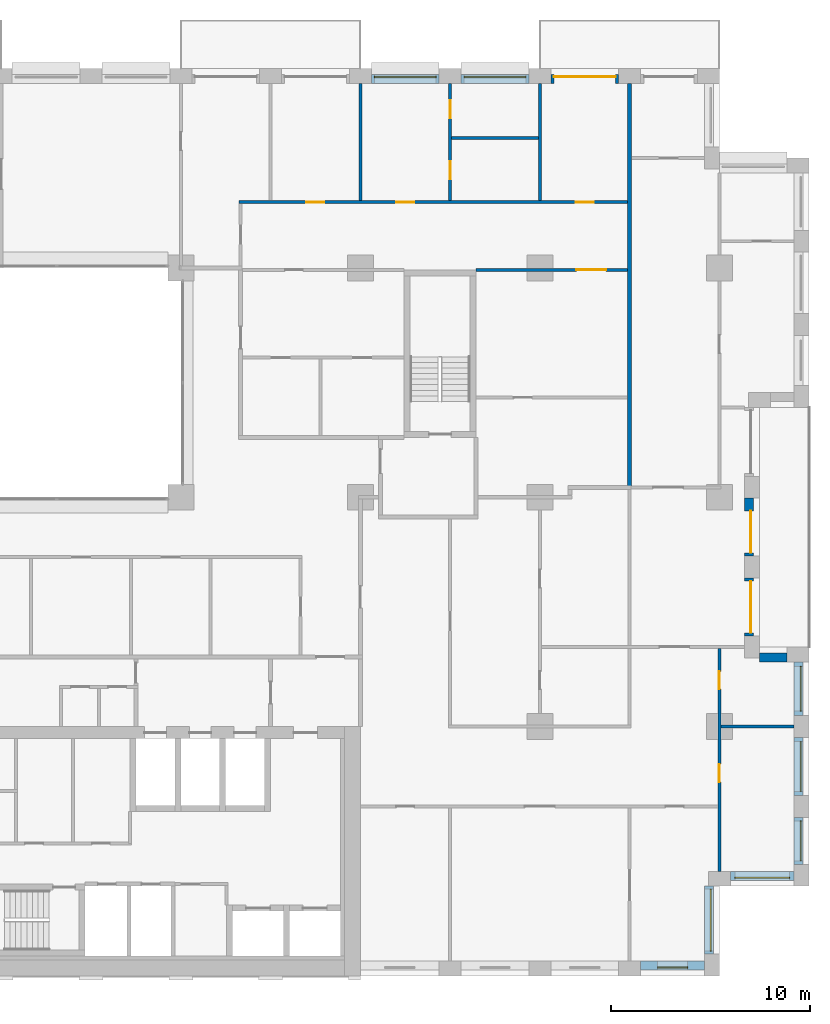
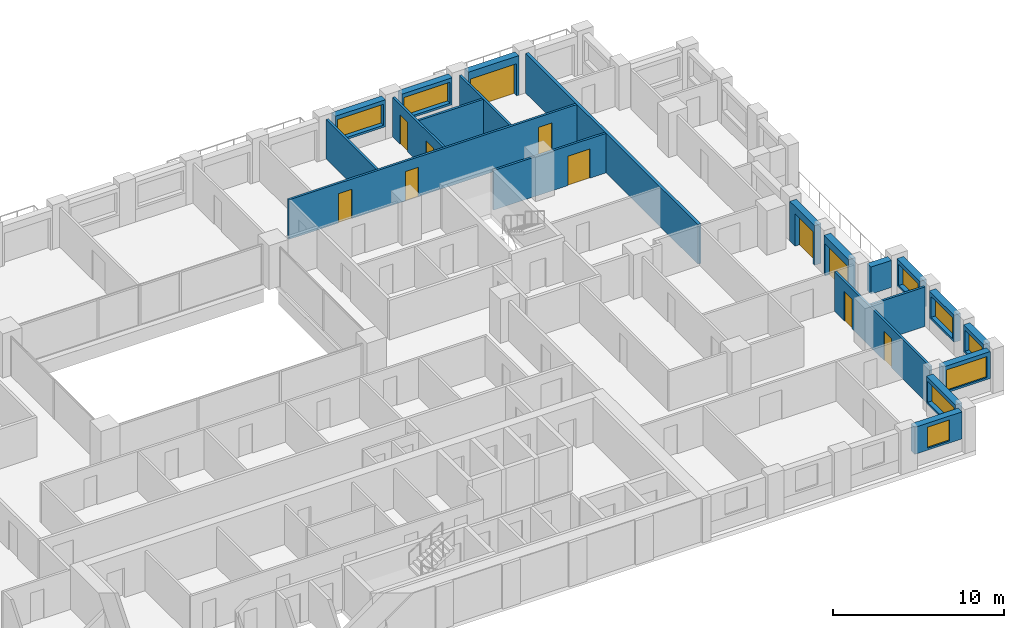
# One storey, part 14 of 16: 21 walls, 11 doors, 8 windows, 19 openings.
"""IFC4 building model written with IfcOpenShell, lengths in metres."""

from ifc_helpers import new_model, si_unit, direction, frame, frame_2d, origin, place, context, subcontext, project, spatial, rectangle, extrude, material, layer, layer_set, type_object, element, fill, save


model = new_model("IFC4")

# Units and contexts
model_context = context("Model", 3, precision=1e-05, world=origin(), true_north=direction((0.0, 1.0)))
body_context = subcontext(model_context, "Body", "Model", "MODEL_VIEW")
ifc_project = project(units=[si_unit("LENGTHUNIT", "METRE"), si_unit("AREAUNIT", "SQUARE_METRE"), si_unit("VOLUMEUNIT", "CUBIC_METRE"), si_unit("PLANEANGLEUNIT", "RADIAN"), si_unit("MASSUNIT", "GRAM", prefix="KILO")], contexts=[model_context])

# Site, building, storey
site_placement = place(None, origin())
site = spatial("IfcSite", under=ifc_project, at=site_placement, CompositionType="ELEMENT")
building_placement = place(site_placement, origin())
building = spatial("IfcBuilding", under=site, at=building_placement, Name="Brigalow Station Residences", CompositionType="ELEMENT")
storey_placement = place(building_placement, frame((0.0, 0.0, 89.85009765625)))
storey = spatial("IfcBuildingStorey", under=building, at=storey_placement, Name="L25", CompositionType="ELEMENT", Elevation=89.85009765625)

# Wall, opening, window
ifc_material_1 = material(Name="Clay brick masonry", Category="masonry")
ifc_layer_1 = layer(ifc_material_1, 0.449951171875)
ifc_layer_set_1 = layer_set([ifc_layer_1], Name="BRICK INFILL WALL 450")
wall_type_1 = type_object("IfcWallType", Name="BRICK INFILL WALL 450", PredefinedType="SOLIDWALL", material=ifc_layer_set_1)
wall_1_placement = place(storey_placement, frame((68.050048828125, 0.52490234375, 0.89990234375), z_axis=(0.0, 0.0, 1.0), x_axis=(1.0, 0.0, 0.0)))
wall_1 = element("IfcWall", 1, at=wall_1_placement, inside=storey, type_object=wall_type_1, Name="L25/ewall/W-L25-7", PredefinedType="SOLIDWALL", context=body_context, shape_type="SweptSolid", body=[
    extrude(rectangle(XDim=3.199951171875, YDim=0.449951171875, at=frame_2d((1.60009765625, 0.0))), origin(), (0.0, 0.0, 1.0), 1.929931640625),
])
opening_1_placement = place(wall_1_placement, frame((0.85009765625, 0.0, 0.14990234375)))
opening_1 = element("IfcOpeningElement", 2, at=opening_1_placement, cuts=wall_1, Name="Opening WT-1", PredefinedType="OPENING", context=body_context, shape_type="SweptSolid", body=[
    extrude(rectangle(XDim=1.5, YDim=1.5, at=frame_2d((0.75, 0.75))), frame((0.0, 0.23486328125, 0.0), z_axis=(0.0, -1.0, 0.0), x_axis=(1.0, 0.0, 0.0)), (0.0, 0.0, 1.0), 0.469970703125),
])
ifc_material_2 = material(Name="Anodised aluminium frame with double glazing", Category="aluminium")
window_type_1 = type_object("IfcWindowType", Name="WINDOW 1500x1500", PartitioningType="SINGLE_PANEL", PredefinedType="WINDOW", material=ifc_material_2)
window_1_placement = place(opening_1_placement, origin())
window_1 = element("IfcWindow", 3, at=window_1_placement, inside=storey, type_object=window_type_1, Name="L25/window/W-L25-7", OverallHeight=1.5, OverallWidth=1.5, PartitioningType="SINGLE_PANEL", PredefinedType="WINDOW", context=body_context, shape_type="SweptSolid", body=[
    extrude(rectangle(XDim=1.5, YDim=1.5, at=frame_2d((0.75, 0.75))), frame((0.0, -0.06494140625, 0.0), z_axis=(0.0, -1.0, 0.0), x_axis=(1.0, 0.0, 0.0)), (0.0, 0.0, 1.0), 0.06005859375),
])
fill(opening_1, window_1)

wall_2_placement = place(storey_placement, frame((71.47509765625, 1.10009765625, 0.89990234375), z_axis=(0.0, 0.0, 1.0), x_axis=(0.0, 1.0, 0.0)))
wall_2 = element("IfcWall", 4, at=wall_2_placement, inside=storey, type_object=wall_type_1, Name="L25/ewall/W-L25-8", PredefinedType="SOLIDWALL", context=body_context, shape_type="SweptSolid", body=[
    extrude(rectangle(XDim=3.39990234375, YDim=0.449951171875, at=frame_2d((1.699951171875, 0.0))), origin(), (0.0, 0.0, 1.0), 1.929931640625),
])
opening_2_placement = place(wall_2_placement, frame((0.14990234375, 0.0, 0.14990234375)))
opening_2 = element("IfcOpeningElement", 5, at=opening_2_placement, cuts=wall_2, Name="Opening WT-8", PredefinedType="OPENING", context=body_context, shape_type="SweptSolid", body=[
    extrude(rectangle(XDim=3.10009765625, YDim=1.5, at=frame_2d((1.550048828125, 0.75))), frame((0.0, 0.23486328125, 0.0), z_axis=(0.0, -1.0, 0.0), x_axis=(1.0, 0.0, 0.0)), (0.0, 0.0, 1.0), 0.469970703125),
])
ifc_material_3 = material(Name="Anodised aluminium frame with double glazing", Category="aluminium")
window_type_2 = type_object("IfcWindowType", Name="WINDOW 3100x1500", PartitioningType="SINGLE_PANEL", PredefinedType="WINDOW", material=ifc_material_3)
window_2_placement = place(opening_2_placement, origin())
window_2 = element("IfcWindow", 6, at=window_2_placement, inside=storey, type_object=window_type_2, Name="L25/window/W-L25-8", OverallHeight=1.5, OverallWidth=3.10009765625, PartitioningType="SINGLE_PANEL", PredefinedType="WINDOW", context=body_context, shape_type="SweptSolid", body=[
    extrude(rectangle(XDim=3.10009765625, YDim=1.5, at=frame_2d((1.550048828125, 0.75))), frame((0.0, -0.06494140625, 0.0), z_axis=(0.0, -1.0, 0.0), x_axis=(1.0, 0.0, 0.0)), (0.0, 0.0, 1.0), 0.06005859375),
])
fill(opening_2, window_2)

wall_3_placement = place(storey_placement, frame((72.550048828125, 5.02490234375, 0.89990234375), z_axis=(0.0, 0.0, 1.0), x_axis=(1.0, 0.0, 0.0)))
wall_3 = element("IfcWall", 7, at=wall_3_placement, inside=storey, type_object=wall_type_1, Name="L25/ewall/W-L25-9", PredefinedType="SOLIDWALL", context=body_context, shape_type="SweptSolid", body=[
    extrude(rectangle(XDim=3.199951171875, YDim=0.449951171875, at=frame_2d((1.60009765625, 0.0))), origin(), (0.0, 0.0, 1.0), 1.929931640625),
])
opening_3_placement = place(wall_3_placement, frame((0.22509765625, 0.0, 0.14990234375)))
opening_3 = element("IfcOpeningElement", 8, at=opening_3_placement, cuts=wall_3, Name="Opening WT-3", PredefinedType="OPENING", context=body_context, shape_type="SweptSolid", body=[
    extrude(rectangle(XDim=2.75, YDim=1.5, at=frame_2d((1.375, 0.75))), frame((0.0, 0.23486328125, 0.0), z_axis=(0.0, -1.0, 0.0), x_axis=(1.0, 0.0, 0.0)), (0.0, 0.0, 1.0), 0.469970703125),
])
ifc_material_4 = material(Name="Anodised aluminium frame with double glazing", Category="aluminium")
window_type_3 = type_object("IfcWindowType", Name="WINDOW 2750x1500", PartitioningType="SINGLE_PANEL", PredefinedType="WINDOW", material=ifc_material_4)
window_3_placement = place(opening_3_placement, origin())
window_3 = element("IfcWindow", 9, at=window_3_placement, inside=storey, type_object=window_type_3, Name="L25/window/W-L25-9", OverallHeight=1.5, OverallWidth=2.75, PartitioningType="SINGLE_PANEL", PredefinedType="WINDOW", context=body_context, shape_type="SweptSolid", body=[
    extrude(rectangle(XDim=2.75, YDim=1.5, at=frame_2d((1.375, 0.75))), frame((0.0, -0.06494140625, 0.0), z_axis=(0.0, -1.0, 0.0), x_axis=(1.0, 0.0, 0.0)), (0.0, 0.0, 1.0), 0.06005859375),
])
fill(opening_3, window_3)

wall_4_placement = place(storey_placement, frame((75.97509765625, 5.60009765625, 0.89990234375), z_axis=(0.0, 0.0, 1.0), x_axis=(0.0, 1.0, 0.0)))
wall_4 = element("IfcWall", 10, at=wall_4_placement, inside=storey, type_object=wall_type_1, Name="L25/ewall/W-L25-10", PredefinedType="SOLIDWALL", context=body_context, shape_type="SweptSolid", body=[
    extrude(rectangle(XDim=2.349853515625, YDim=0.449951171875, at=frame_2d((1.1748046875, 0.0))), origin(), (0.0, 0.0, 1.0), 1.929931640625),
])
opening_4_placement = place(wall_4_placement, frame((0.175048828125, 0.0, 0.14990234375)))
opening_4 = element("IfcOpeningElement", 11, at=opening_4_placement, cuts=wall_4, Name="Opening WT-7", PredefinedType="OPENING", context=body_context, shape_type="SweptSolid", body=[
    extrude(rectangle(XDim=2.0, YDim=1.5, at=frame_2d((1.0, 0.75))), frame((0.0, 0.23486328125, 0.0), z_axis=(0.0, -1.0, 0.0), x_axis=(1.0, 0.0, 0.0)), (0.0, 0.0, 1.0), 0.469970703125),
])
ifc_material_5 = material(Name="Anodised aluminium frame with double glazing", Category="aluminium")
window_type_4 = type_object("IfcWindowType", Name="WINDOW 2000x1500", PartitioningType="SINGLE_PANEL", PredefinedType="WINDOW", material=ifc_material_5)
window_4_placement = place(opening_4_placement, origin())
window_4 = element("IfcWindow", 12, at=window_4_placement, inside=storey, type_object=window_type_4, Name="L25/window/W-L25-10", OverallHeight=1.5, OverallWidth=2.0, PartitioningType="SINGLE_PANEL", PredefinedType="WINDOW", context=body_context, shape_type="SweptSolid", body=[
    extrude(rectangle(XDim=2.0, YDim=1.5, at=frame_2d((1.0, 0.75))), frame((0.0, -0.06494140625, 0.0), z_axis=(0.0, -1.0, 0.0), x_axis=(1.0, 0.0, 0.0)), (0.0, 0.0, 1.0), 0.06005859375),
])
fill(opening_4, window_4)

wall_5_placement = place(storey_placement, frame((75.97509765625, 9.050048828125, 0.89990234375), z_axis=(0.0, 0.0, 1.0), x_axis=(0.0, 1.0, 0.0)))
wall_5 = element("IfcWall", 13, at=wall_5_placement, inside=storey, type_object=wall_type_1, Name="L25/ewall/W-L25-11", PredefinedType="SOLIDWALL", context=body_context, shape_type="SweptSolid", body=[
    extrude(rectangle(XDim=2.89990234375, YDim=0.449951171875, at=frame_2d((1.449951171875, 0.0))), origin(), (0.0, 0.0, 1.0), 1.929931640625),
])
opening_5_placement = place(wall_5_placement, frame((0.199951171875, 0.0, 0.14990234375)))
opening_5 = element("IfcOpeningElement", 14, at=opening_5_placement, cuts=wall_5, Name="Opening WT-5", PredefinedType="OPENING", context=body_context, shape_type="SweptSolid", body=[
    extrude(rectangle(XDim=2.5, YDim=1.5, at=frame_2d((1.25, 0.75))), frame((0.0, 0.23486328125, 0.0), z_axis=(0.0, -1.0, 0.0), x_axis=(1.0, 0.0, 0.0)), (0.0, 0.0, 1.0), 0.469970703125),
])
ifc_material_6 = material(Name="Anodised aluminium frame with double glazing", Category="aluminium")
window_type_5 = type_object("IfcWindowType", Name="WINDOW 2500x1500", PartitioningType="SINGLE_PANEL", PredefinedType="WINDOW", material=ifc_material_6)
window_5_placement = place(opening_5_placement, origin())
window_5 = element("IfcWindow", 15, at=window_5_placement, inside=storey, type_object=window_type_5, Name="L25/window/W-L25-11", OverallHeight=1.5, OverallWidth=2.5, PartitioningType="SINGLE_PANEL", PredefinedType="WINDOW", context=body_context, shape_type="SweptSolid", body=[
    extrude(rectangle(XDim=2.5, YDim=1.5, at=frame_2d((1.25, 0.75))), frame((0.0, -0.06494140625, 0.0), z_axis=(0.0, -1.0, 0.0), x_axis=(1.0, 0.0, 0.0)), (0.0, 0.0, 1.0), 0.06005859375),
])
fill(opening_5, window_5)

wall_6_placement = place(storey_placement, frame((75.97509765625, 13.050048828125, 0.89990234375), z_axis=(0.0, 0.0, 1.0), x_axis=(0.0, 1.0, 0.0)))
wall_6 = element("IfcWall", 16, at=wall_6_placement, inside=storey, type_object=wall_type_1, Name="L25/ewall/W-L25-12", PredefinedType="SOLIDWALL", context=body_context, shape_type="SweptSolid", body=[
    extrude(rectangle(XDim=2.699951171875, YDim=0.449951171875, at=frame_2d((1.35009765625, 0.0))), origin(), (0.0, 0.0, 1.0), 1.929931640625),
])
opening_6_placement = place(wall_6_placement, frame((0.22509765625, 0.0, 0.14990234375)))
opening_6 = element("IfcOpeningElement", 17, at=opening_6_placement, cuts=wall_6, Name="Opening WT-6", PredefinedType="OPENING", context=body_context, shape_type="SweptSolid", body=[
    extrude(rectangle(XDim=2.25, YDim=1.5, at=frame_2d((1.125, 0.75))), frame((0.0, 0.23486328125, 0.0), z_axis=(0.0, -1.0, 0.0), x_axis=(1.0, 0.0, 0.0)), (0.0, 0.0, 1.0), 0.469970703125),
])
ifc_material_7 = material(Name="Anodised aluminium frame with double glazing", Category="aluminium")
window_type_6 = type_object("IfcWindowType", Name="WINDOW 2250x1500", PartitioningType="SINGLE_PANEL", PredefinedType="WINDOW", material=ifc_material_7)
window_6_placement = place(opening_6_placement, origin())
window_6 = element("IfcWindow", 18, at=window_6_placement, inside=storey, type_object=window_type_6, Name="L25/window/W-L25-12", OverallHeight=1.5, OverallWidth=2.25, PartitioningType="SINGLE_PANEL", PredefinedType="WINDOW", context=body_context, shape_type="SweptSolid", body=[
    extrude(rectangle(XDim=2.25, YDim=1.5, at=frame_2d((1.125, 0.75))), frame((0.0, -0.06494140625, 0.0), z_axis=(0.0, -1.0, 0.0), x_axis=(1.0, 0.0, 0.0)), (0.0, 0.0, 1.0), 0.06005859375),
])
fill(opening_6, window_6)

# Wall
wall_7_placement = place(storey_placement, frame((75.39990234375, 15.97509765625, 0.89990234375), z_axis=(0.0, 0.0, 1.0), x_axis=(-1.0, 0.0, 0.0)))
element("IfcWall", 19, at=wall_7_placement, inside=storey, type_object=wall_type_1, Name="L25/ewall/W-L25-13", PredefinedType="SOLIDWALL", context=body_context, shape_type="SweptSolid", body=[
    extrude(rectangle(XDim=1.39990234375, YDim=0.449951171875, at=frame_2d((0.699951171875, 0.0))), origin(), (0.0, 0.0, 1.0), 1.929931640625),
])

# Wall, opening, door
wall_8_placement = place(storey_placement, frame((73.47509765625, 17.050048828125, 0.0), z_axis=(0.0, 0.0, 1.0), x_axis=(0.0, 1.0, 0.0)))
wall_8 = element("IfcWall", 20, at=wall_8_placement, inside=storey, type_object=wall_type_1, Name="L25/ewall/W-L25-14", PredefinedType="SOLIDWALL", context=body_context, shape_type="SweptSolid", body=[
    extrude(rectangle(XDim=2.89990234375, YDim=0.449951171875, at=frame_2d((1.449951171875, 0.0))), origin(), (0.0, 0.0, 1.0), 2.829833984375),
])
opening_7_placement = place(wall_8_placement, frame((0.14990234375, 0.0, 0.0)))
opening_7 = element("IfcOpeningElement", 21, at=opening_7_placement, cuts=wall_8, Name="Opening D-B2600", PredefinedType="OPENING", context=body_context, shape_type="SweptSolid", body=[
    extrude(rectangle(XDim=2.60009765625, YDim=2.300048828125, at=frame_2d((1.300048828125, 1.14990234375))), frame((0.0, 0.23486328125, 0.0), z_axis=(0.0, -1.0, 0.0), x_axis=(1.0, 0.0, 0.0)), (0.0, 0.0, 1.0), 0.469970703125),
])
ifc_material_8 = material(Name="Anodised aluminium frame with double glazing", Category="aluminium")
door_type_1 = type_object("IfcDoorType", Name="BALCONY SLIDING DOOR 2600x2300", OperationType="SLIDING_TO_LEFT", PredefinedType="DOOR", material=ifc_material_8)
door_1_placement = place(opening_7_placement, origin())
door_1 = element("IfcDoor", 22, at=door_1_placement, inside=storey, type_object=door_type_1, Name="L25/balcony-door/W-L25-14", OperationType="SLIDING_TO_LEFT", OverallHeight=2.300048828125, OverallWidth=2.60009765625, PredefinedType="DOOR", context=body_context, shape_type="SweptSolid", body=[
    extrude(rectangle(XDim=2.60009765625, YDim=2.300048828125, at=frame_2d((1.300048828125, 1.14990234375))), frame((0.0, -0.06982421875, 0.0), z_axis=(0.0, -1.0, 0.0), x_axis=(1.0, 0.0, 0.0)), (0.0, 0.0, 1.0), 0.050048828125),
])
fill(opening_7, door_1)

wall_9_placement = place(storey_placement, frame((73.47509765625, 21.050048828125, 0.0), z_axis=(0.0, 0.0, 1.0), x_axis=(0.0, 1.0, 0.0)))
wall_9 = element("IfcWall", 23, at=wall_9_placement, inside=storey, type_object=wall_type_1, Name="L25/ewall/W-L25-15", PredefinedType="SOLIDWALL", context=body_context, shape_type="SweptSolid", body=[
    extrude(rectangle(XDim=2.89990234375, YDim=0.449951171875, at=frame_2d((1.449951171875, 0.0))), origin(), (0.0, 0.0, 1.0), 2.829833984375),
])
opening_8_placement = place(wall_9_placement, frame((0.1650390625, 0.0, 0.0)))
opening_8 = element("IfcOpeningElement", 24, at=opening_8_placement, cuts=wall_9, Name="Opening D-B2100", PredefinedType="OPENING", context=body_context, shape_type="SweptSolid", body=[
    extrude(rectangle(XDim=2.10009765625, YDim=2.300048828125, at=frame_2d((1.050048828125, 1.14990234375))), frame((0.0, 0.23486328125, 0.0), z_axis=(0.0, -1.0, 0.0), x_axis=(1.0, 0.0, 0.0)), (0.0, 0.0, 1.0), 0.469970703125),
])
ifc_material_9 = material(Name="Anodised aluminium frame with double glazing", Category="aluminium")
door_type_2 = type_object("IfcDoorType", Name="BALCONY SLIDING DOOR 2100x2300", OperationType="SLIDING_TO_LEFT", PredefinedType="DOOR", material=ifc_material_9)
door_2_placement = place(opening_8_placement, origin())
door_2 = element("IfcDoor", 25, at=door_2_placement, inside=storey, type_object=door_type_2, Name="L25/balcony-door/W-L25-15", OperationType="SLIDING_TO_LEFT", OverallHeight=2.300048828125, OverallWidth=2.10009765625, PredefinedType="DOOR", context=body_context, shape_type="SweptSolid", body=[
    extrude(rectangle(XDim=2.10009765625, YDim=2.300048828125, at=frame_2d((1.050048828125, 1.14990234375))), frame((0.0, -0.06982421875, 0.0), z_axis=(0.0, -1.0, 0.0), x_axis=(1.0, 0.0, 0.0)), (0.0, 0.0, 1.0), 0.050048828125),
])
fill(opening_8, door_2)

wall_10_placement = place(storey_placement, frame((66.949951171875, 44.97509765625, 0.0), z_axis=(0.0, 0.0, 1.0), x_axis=(-1.0, 0.0, 0.0)))
wall_10 = element("IfcWall", 26, at=wall_10_placement, inside=storey, type_object=wall_type_1, Name="L25/ewall/W-L25-24", PredefinedType="SOLIDWALL", context=body_context, shape_type="SweptSolid", body=[
    extrude(rectangle(XDim=3.39990234375, YDim=0.449951171875, at=frame_2d((1.699951171875, 0.0))), origin(), (0.0, 0.0, 1.0), 2.829833984375),
])
opening_9_placement = place(wall_10_placement, frame((0.14990234375, 0.0, 0.0)))
opening_9 = element("IfcOpeningElement", 27, at=opening_9_placement, cuts=wall_10, Name="Opening D-B3100", PredefinedType="OPENING", context=body_context, shape_type="SweptSolid", body=[
    extrude(rectangle(XDim=3.10009765625, YDim=2.300048828125, at=frame_2d((1.550048828125, 1.14990234375))), frame((0.0, 0.23486328125, 0.0), z_axis=(0.0, -1.0, 0.0), x_axis=(1.0, 0.0, 0.0)), (0.0, 0.0, 1.0), 0.469970703125),
])
ifc_material_10 = material(Name="Anodised aluminium frame with double glazing", Category="aluminium")
door_type_3 = type_object("IfcDoorType", Name="BALCONY SLIDING DOOR 3100x2300", OperationType="SLIDING_TO_LEFT", PredefinedType="DOOR", material=ifc_material_10)
door_3_placement = place(opening_9_placement, origin())
door_3 = element("IfcDoor", 28, at=door_3_placement, inside=storey, type_object=door_type_3, Name="L25/balcony-door/W-L25-24", OperationType="SLIDING_TO_LEFT", OverallHeight=2.300048828125, OverallWidth=3.10009765625, PredefinedType="DOOR", context=body_context, shape_type="SweptSolid", body=[
    extrude(rectangle(XDim=3.10009765625, YDim=2.300048828125, at=frame_2d((1.550048828125, 1.14990234375))), frame((0.0, -0.06982421875, 0.0), z_axis=(0.0, -1.0, 0.0), x_axis=(1.0, 0.0, 0.0)), (0.0, 0.0, 1.0), 0.050048828125),
])
fill(opening_9, door_3)

# Wall, opening, window
wall_11_placement = place(storey_placement, frame((62.449951171875, 44.97509765625, 0.89990234375), z_axis=(0.0, 0.0, 1.0), x_axis=(-1.0, 0.0, 0.0)))
wall_11 = element("IfcWall", 29, at=wall_11_placement, inside=storey, type_object=wall_type_1, Name="L25/ewall/W-L25-25", PredefinedType="SOLIDWALL", context=body_context, shape_type="SweptSolid", body=[
    extrude(rectangle(XDim=3.39990234375, YDim=0.449951171875, at=frame_2d((1.699951171875, 0.0))), origin(), (0.0, 0.0, 1.0), 1.929931640625),
])
opening_10_placement = place(wall_11_placement, frame((0.14990234375, 0.0, 0.14990234375)))
opening_10 = element("IfcOpeningElement", 30, at=opening_10_placement, cuts=wall_11, Name="Opening WT-8", PredefinedType="OPENING", context=body_context, shape_type="SweptSolid", body=[
    extrude(rectangle(XDim=3.10009765625, YDim=1.5, at=frame_2d((1.550048828125, 0.75))), frame((0.0, 0.23486328125, 0.0), z_axis=(0.0, -1.0, 0.0), x_axis=(1.0, 0.0, 0.0)), (0.0, 0.0, 1.0), 0.469970703125),
])
window_7_placement = place(opening_10_placement, origin())
window_7 = element("IfcWindow", 31, at=window_7_placement, inside=storey, type_object=window_type_2, Name="L25/window/W-L25-25", OverallHeight=1.5, OverallWidth=3.10009765625, PartitioningType="SINGLE_PANEL", PredefinedType="WINDOW", context=body_context, shape_type="SweptSolid", body=[
    extrude(rectangle(XDim=3.10009765625, YDim=1.5, at=frame_2d((1.550048828125, 0.75))), frame((0.0, -0.06494140625, 0.0), z_axis=(0.0, -1.0, 0.0), x_axis=(1.0, 0.0, 0.0)), (0.0, 0.0, 1.0), 0.06005859375),
])
fill(opening_10, window_7)

wall_12_placement = place(storey_placement, frame((57.949951171875, 44.97509765625, 0.89990234375), z_axis=(0.0, 0.0, 1.0), x_axis=(-1.0, 0.0, 0.0)))
wall_12 = element("IfcWall", 32, at=wall_12_placement, inside=storey, type_object=wall_type_1, Name="L25/ewall/W-L25-26", PredefinedType="SOLIDWALL", context=body_context, shape_type="SweptSolid", body=[
    extrude(rectangle(XDim=3.39990234375, YDim=0.449951171875, at=frame_2d((1.699951171875, 0.0))), origin(), (0.0, 0.0, 1.0), 1.929931640625),
])
opening_11_placement = place(wall_12_placement, frame((0.14990234375, 0.0, 0.14990234375)))
opening_11 = element("IfcOpeningElement", 33, at=opening_11_placement, cuts=wall_12, Name="Opening WT-8", PredefinedType="OPENING", context=body_context, shape_type="SweptSolid", body=[
    extrude(rectangle(XDim=3.10009765625, YDim=1.5, at=frame_2d((1.550048828125, 0.75))), frame((0.0, 0.23486328125, 0.0), z_axis=(0.0, -1.0, 0.0), x_axis=(1.0, 0.0, 0.0)), (0.0, 0.0, 1.0), 0.469970703125),
])
window_8_placement = place(opening_11_placement, origin())
window_8 = element("IfcWindow", 34, at=window_8_placement, inside=storey, type_object=window_type_2, Name="L25/window/W-L25-26", OverallHeight=1.5, OverallWidth=3.10009765625, PartitioningType="SINGLE_PANEL", PredefinedType="WINDOW", context=body_context, shape_type="SweptSolid", body=[
    extrude(rectangle(XDim=3.10009765625, YDim=1.5, at=frame_2d((1.550048828125, 0.75))), frame((0.0, -0.06494140625, 0.0), z_axis=(0.0, -1.0, 0.0), x_axis=(1.0, 0.0, 0.0)), (0.0, 0.0, 1.0), 0.06005859375),
])
fill(opening_11, window_8)

# Wall
ifc_material_11 = material(Name="Plasterboard on steel stud partition", Category="steel")
ifc_layer_2 = layer(ifc_material_11, 0.14990234375)
ifc_layer_set_2 = layer_set([ifc_layer_2], Name="FLAT PARTITION 150")
wall_type_2 = type_object("IfcWallType", Name="FLAT PARTITION 150", PredefinedType="PARTITIONING", material=ifc_layer_set_2)
wall_13_placement = place(storey_placement, frame((72.074951171875, 12.5, 0.0), z_axis=(0.0, 0.0, 1.0), x_axis=(1.0, 0.0, 0.0)))
element("IfcWall", 35, at=wall_13_placement, inside=storey, type_object=wall_type_2, Name="PW-2A18", PredefinedType="PARTITIONING", context=body_context, shape_type="SweptSolid", body=[
    extrude(rectangle(XDim=3.675048828125, YDim=0.14990234375, at=frame_2d((1.83740234375, 0.0))), origin(), (0.0, 0.0, 1.0), 2.829833984375),
])

# Wall, opening, door
wall_14_placement = place(storey_placement, frame((59.800048828125, 35.39990234375, 0.0), z_axis=(0.0, 0.0, 1.0), x_axis=(1.0, 0.0, 0.0)))
wall_14 = element("IfcWall", 36, at=wall_14_placement, inside=storey, type_object=wall_type_2, Name="PW-2A30", PredefinedType="PARTITIONING", context=body_context, shape_type="SweptSolid", body=[
    extrude(rectangle(XDim=7.599853515625, YDim=0.14990234375, at=frame_2d((3.7998046875, 0.0))), origin(), (0.0, 0.0, 1.0), 2.829833984375),
])
opening_12_placement = place(wall_14_placement, frame((5.02490234375, 0.0, 0.0)))
opening_12 = element("IfcOpeningElement", 37, at=opening_12_placement, cuts=wall_14, Name="Opening D-2A32", PredefinedType="OPENING", context=body_context, shape_type="SweptSolid", body=[
    extrude(rectangle(XDim=1.5, YDim=2.10009765625, at=frame_2d((0.75, 1.050048828125))), frame((0.0, 0.0849609375, 0.0), z_axis=(0.0, -1.0, 0.0), x_axis=(1.0, 0.0, 0.0)), (0.0, 0.0, 1.0), 0.169921875),
])
ifc_material_12 = material(Name="Solid-core timber door leaf", Category="wood")
door_type_4 = type_object("IfcDoorType", Name="INTERNAL DOUBLE DOOR 1500 x 2100", OperationType="DOUBLE_DOOR_SINGLE_SWING", PredefinedType="DOOR", material=ifc_material_12)
door_4_placement = place(opening_12_placement, frame((1.5, 0.0, 0.0), z_axis=(0.0, 0.0, 1.0), x_axis=(-1.0, 0.0, 0.0)))
door_4 = element("IfcDoor", 38, at=door_4_placement, inside=storey, type_object=door_type_4, Name="D-2A32", OperationType="DOUBLE_DOOR_SINGLE_SWING", OverallHeight=2.10009765625, OverallWidth=1.5, PredefinedType="DOOR", context=body_context, shape_type="SweptSolid", body=[
    extrude(rectangle(XDim=1.5, YDim=2.10009765625, at=frame_2d((0.75, 1.050048828125))), frame((0.0, 0.02490234375, 0.0), z_axis=(0.0, -1.0, 0.0), x_axis=(1.0, 0.0, 0.0)), (0.0, 0.0, 1.0), 0.050048828125),
])
fill(opening_12, door_4)

# Wall, openings, doors
wall_15_placement = place(storey_placement, frame((47.925048828125, 38.800048828125, 0.0), z_axis=(0.0, 0.0, 1.0), x_axis=(1.0, 0.0, 0.0)))
wall_15 = element("IfcWall", 39, at=wall_15_placement, inside=storey, type_object=wall_type_2, Name="PW-2A34", PredefinedType="PARTITIONING", context=body_context, shape_type="SweptSolid", body=[
    extrude(rectangle(XDim=19.474853515625, YDim=0.14990234375, at=frame_2d((9.7373046875, 0.0))), origin(), (0.0, 0.0, 1.0), 2.829833984375),
])
opening_13_placement = place(wall_15_placement, frame((3.375, 0.0, 0.0)))
opening_13 = element("IfcOpeningElement", 40, at=opening_13_placement, cuts=wall_15, Name="Opening D-2A27", PredefinedType="OPENING", context=body_context, shape_type="SweptSolid", body=[
    extrude(rectangle(XDim=0.89990234375, YDim=2.10009765625, at=frame_2d((0.449951171875, 1.050048828125))), frame((0.0, 0.0849609375, 0.0), z_axis=(0.0, -1.0, 0.0), x_axis=(1.0, 0.0, 0.0)), (0.0, 0.0, 1.0), 0.169921875),
])
opening_14_placement = place(wall_15_placement, frame((7.875, 0.0, 0.0)))
opening_14 = element("IfcOpeningElement", 41, at=opening_14_placement, cuts=wall_15, Name="Opening D-2A28", PredefinedType="OPENING", context=body_context, shape_type="SweptSolid", body=[
    extrude(rectangle(XDim=0.89990234375, YDim=2.10009765625, at=frame_2d((0.449951171875, 1.050048828125))), frame((0.0, 0.0849609375, 0.0), z_axis=(0.0, -1.0, 0.0), x_axis=(1.0, 0.0, 0.0)), (0.0, 0.0, 1.0), 0.169921875),
])
opening_15_placement = place(wall_15_placement, frame((16.875, 0.0, 0.0)))
opening_15 = element("IfcOpeningElement", 42, at=opening_15_placement, cuts=wall_15, Name="Opening D-2A31", PredefinedType="OPENING", context=body_context, shape_type="SweptSolid", body=[
    extrude(rectangle(XDim=0.89990234375, YDim=2.10009765625, at=frame_2d((0.449951171875, 1.050048828125))), frame((0.0, 0.0849609375, 0.0), z_axis=(0.0, -1.0, 0.0), x_axis=(1.0, 0.0, 0.0)), (0.0, 0.0, 1.0), 0.169921875),
])
ifc_material_13 = material(Name="Solid-core timber door leaf", Category="wood")
door_type_5 = type_object("IfcDoorType", Name="INTERNAL DOOR 900 x 2100", OperationType="SINGLE_SWING_LEFT", PredefinedType="DOOR", material=ifc_material_13)
door_5_placement = place(opening_13_placement, origin())
door_5 = element("IfcDoor", 43, at=door_5_placement, inside=storey, type_object=door_type_5, Name="D-2A27", OperationType="SINGLE_SWING_RIGHT", OverallHeight=2.10009765625, OverallWidth=0.89990234375, PredefinedType="DOOR", context=body_context, shape_type="SweptSolid", body=[
    extrude(rectangle(XDim=0.89990234375, YDim=2.10009765625, at=frame_2d((0.449951171875, 1.050048828125))), frame((0.0, 0.02490234375, 0.0), z_axis=(0.0, -1.0, 0.0), x_axis=(1.0, 0.0, 0.0)), (0.0, 0.0, 1.0), 0.050048828125),
])
fill(opening_13, door_5)
door_6_placement = place(opening_14_placement, origin())
door_6 = element("IfcDoor", 44, at=door_6_placement, inside=storey, type_object=door_type_5, Name="D-2A28", OperationType="SINGLE_SWING_RIGHT", OverallHeight=2.10009765625, OverallWidth=0.89990234375, PredefinedType="DOOR", context=body_context, shape_type="SweptSolid", body=[
    extrude(rectangle(XDim=0.89990234375, YDim=2.10009765625, at=frame_2d((0.449951171875, 1.050048828125))), frame((0.0, 0.02490234375, 0.0), z_axis=(0.0, -1.0, 0.0), x_axis=(1.0, 0.0, 0.0)), (0.0, 0.0, 1.0), 0.050048828125),
])
fill(opening_14, door_6)
door_7_placement = place(opening_15_placement, origin())
door_7 = element("IfcDoor", 45, at=door_7_placement, inside=storey, type_object=door_type_5, Name="D-2A31", OperationType="SINGLE_SWING_RIGHT", OverallHeight=2.10009765625, OverallWidth=0.89990234375, PredefinedType="DOOR", context=body_context, shape_type="SweptSolid", body=[
    extrude(rectangle(XDim=0.89990234375, YDim=2.10009765625, at=frame_2d((0.449951171875, 1.050048828125))), frame((0.0, 0.02490234375, 0.0), z_axis=(0.0, -1.0, 0.0), x_axis=(1.0, 0.0, 0.0)), (0.0, 0.0, 1.0), 0.050048828125),
])
fill(opening_15, door_7)

# Walls
wall_16_placement = place(storey_placement, frame((58.574951171875, 42.0, 0.0), z_axis=(0.0, 0.0, 1.0), x_axis=(1.0, 0.0, 0.0)))
element("IfcWall", 46, at=wall_16_placement, inside=storey, type_object=wall_type_2, Name="PW-2A36", PredefinedType="PARTITIONING", context=body_context, shape_type="SweptSolid", body=[
    extrude(rectangle(XDim=4.35009765625, YDim=0.14990234375, at=frame_2d((2.175048828125, 0.0))), origin(), (0.0, 0.0, 1.0), 2.829833984375),
])
wall_17_placement = place(storey_placement, frame((54.0, 38.875, 0.0), z_axis=(0.0, 0.0, 1.0), x_axis=(0.0, 1.0, 0.0)))
element("IfcWall", 47, at=wall_17_placement, inside=storey, type_object=wall_type_2, Name="PW-2A41", PredefinedType="PARTITIONING", context=body_context, shape_type="SweptSolid", body=[
    extrude(rectangle(XDim=5.875, YDim=0.14990234375, at=frame_2d((2.9375, 0.0))), origin(), (0.0, 0.0, 1.0), 2.829833984375),
])

# Wall, openings, doors
wall_18_placement = place(storey_placement, frame((58.5, 38.875, 0.0), z_axis=(0.0, 0.0, 1.0), x_axis=(0.0, 1.0, 0.0)))
wall_18 = element("IfcWall", 48, at=wall_18_placement, inside=storey, type_object=wall_type_2, Name="PW-2A66", PredefinedType="PARTITIONING", context=body_context, shape_type="SweptSolid", body=[
    extrude(rectangle(XDim=5.875, YDim=0.14990234375, at=frame_2d((2.9375, 0.0))), origin(), (0.0, 0.0, 1.0), 2.829833984375),
])
opening_16_placement = place(wall_18_placement, frame((1.074951171875, 0.0, 0.0)))
opening_16 = element("IfcOpeningElement", 49, at=opening_16_placement, cuts=wall_18, Name="Opening D-2A29", PredefinedType="OPENING", context=body_context, shape_type="SweptSolid", body=[
    extrude(rectangle(XDim=0.89990234375, YDim=2.10009765625, at=frame_2d((0.449951171875, 1.050048828125))), frame((0.0, 0.0849609375, 0.0), z_axis=(0.0, -1.0, 0.0), x_axis=(1.0, 0.0, 0.0)), (0.0, 0.0, 1.0), 0.169921875),
])
opening_17_placement = place(wall_18_placement, frame((4.125, 0.0, 0.0)))
opening_17 = element("IfcOpeningElement", 50, at=opening_17_placement, cuts=wall_18, Name="Opening D-2A30", PredefinedType="OPENING", context=body_context, shape_type="SweptSolid", body=[
    extrude(rectangle(XDim=0.89990234375, YDim=2.10009765625, at=frame_2d((0.449951171875, 1.050048828125))), frame((0.0, 0.0849609375, 0.0), z_axis=(0.0, -1.0, 0.0), x_axis=(1.0, 0.0, 0.0)), (0.0, 0.0, 1.0), 0.169921875),
])
door_8_placement = place(opening_16_placement, frame((0.89990234375, 0.0, 0.0), z_axis=(0.0, 0.0, 1.0), x_axis=(-1.0, 0.0, 0.0)))
door_8 = element("IfcDoor", 51, at=door_8_placement, inside=storey, type_object=door_type_5, Name="D-2A29", OperationType="SINGLE_SWING_LEFT", OverallHeight=2.10009765625, OverallWidth=0.89990234375, PredefinedType="DOOR", context=body_context, shape_type="SweptSolid", body=[
    extrude(rectangle(XDim=0.89990234375, YDim=2.10009765625, at=frame_2d((0.449951171875, 1.050048828125))), frame((0.0, 0.02490234375, 0.0), z_axis=(0.0, -1.0, 0.0), x_axis=(1.0, 0.0, 0.0)), (0.0, 0.0, 1.0), 0.050048828125),
])
fill(opening_16, door_8)
door_9_placement = place(opening_17_placement, frame((0.89990234375, 0.0, 0.0), z_axis=(0.0, 0.0, 1.0), x_axis=(-1.0, 0.0, 0.0)))
door_9 = element("IfcDoor", 52, at=door_9_placement, inside=storey, type_object=door_type_5, Name="D-2A30", OperationType="SINGLE_SWING_LEFT", OverallHeight=2.10009765625, OverallWidth=0.89990234375, PredefinedType="DOOR", context=body_context, shape_type="SweptSolid", body=[
    extrude(rectangle(XDim=0.89990234375, YDim=2.10009765625, at=frame_2d((0.449951171875, 1.050048828125))), frame((0.0, 0.02490234375, 0.0), z_axis=(0.0, -1.0, 0.0), x_axis=(1.0, 0.0, 0.0)), (0.0, 0.0, 1.0), 0.050048828125),
])
fill(opening_17, door_9)

# Wall
wall_19_placement = place(storey_placement, frame((63.0, 38.875, 0.0), z_axis=(0.0, 0.0, 1.0), x_axis=(0.0, 1.0, 0.0)))
element("IfcWall", 53, at=wall_19_placement, inside=storey, type_object=wall_type_2, Name="PW-2A68", PredefinedType="PARTITIONING", context=body_context, shape_type="SweptSolid", body=[
    extrude(rectangle(XDim=5.875, YDim=0.14990234375, at=frame_2d((2.9375, 0.0))), origin(), (0.0, 0.0, 1.0), 2.829833984375),
])

# Wall, openings, doors
wall_20_placement = place(storey_placement, frame((72.0, 5.25, 0.0), z_axis=(0.0, 0.0, 1.0), x_axis=(0.0, 1.0, 0.0)))
wall_20 = element("IfcWall", 54, at=wall_20_placement, inside=storey, type_object=wall_type_2, Name="PW-2A70", PredefinedType="PARTITIONING", context=body_context, shape_type="SweptSolid", body=[
    extrude(rectangle(XDim=11.175048828125, YDim=0.14990234375, at=frame_2d((5.58740234375, 0.0))), origin(), (0.0, 0.0, 1.0), 2.829833984375),
])
opening_18_placement = place(wall_20_placement, frame((4.47509765625, 0.0, 0.0)))
opening_18 = element("IfcOpeningElement", 55, at=opening_18_placement, cuts=wall_20, Name="Opening D-2A39", PredefinedType="OPENING", context=body_context, shape_type="SweptSolid", body=[
    extrude(rectangle(XDim=0.89990234375, YDim=2.10009765625, at=frame_2d((0.449951171875, 1.050048828125))), frame((0.0, 0.0849609375, 0.0), z_axis=(0.0, -1.0, 0.0), x_axis=(1.0, 0.0, 0.0)), (0.0, 0.0, 1.0), 0.169921875),
])
opening_19_placement = place(wall_20_placement, frame((9.125, 0.0, 0.0)))
opening_19 = element("IfcOpeningElement", 56, at=opening_19_placement, cuts=wall_20, Name="Opening D-2A43", PredefinedType="OPENING", context=body_context, shape_type="SweptSolid", body=[
    extrude(rectangle(XDim=0.89990234375, YDim=2.10009765625, at=frame_2d((0.449951171875, 1.050048828125))), frame((0.0, 0.0849609375, 0.0), z_axis=(0.0, -1.0, 0.0), x_axis=(1.0, 0.0, 0.0)), (0.0, 0.0, 1.0), 0.169921875),
])
door_10_placement = place(opening_18_placement, frame((0.89990234375, 0.0, 0.0), z_axis=(0.0, 0.0, 1.0), x_axis=(-1.0, 0.0, 0.0)))
door_10 = element("IfcDoor", 57, at=door_10_placement, inside=storey, type_object=door_type_5, Name="D-2A39", OperationType="SINGLE_SWING_LEFT", OverallHeight=2.10009765625, OverallWidth=0.89990234375, PredefinedType="DOOR", context=body_context, shape_type="SweptSolid", body=[
    extrude(rectangle(XDim=0.89990234375, YDim=2.10009765625, at=frame_2d((0.449951171875, 1.050048828125))), frame((0.0, 0.02490234375, 0.0), z_axis=(0.0, -1.0, 0.0), x_axis=(1.0, 0.0, 0.0)), (0.0, 0.0, 1.0), 0.050048828125),
])
fill(opening_18, door_10)
door_11_placement = place(opening_19_placement, frame((0.89990234375, 0.0, 0.0), z_axis=(0.0, 0.0, 1.0), x_axis=(-1.0, 0.0, 0.0)))
door_11 = element("IfcDoor", 58, at=door_11_placement, inside=storey, type_object=door_type_5, Name="D-2A43", OperationType="SINGLE_SWING_LEFT", OverallHeight=2.10009765625, OverallWidth=0.89990234375, PredefinedType="DOOR", context=body_context, shape_type="SweptSolid", body=[
    extrude(rectangle(XDim=0.89990234375, YDim=2.10009765625, at=frame_2d((0.449951171875, 1.050048828125))), frame((0.0, 0.02490234375, 0.0), z_axis=(0.0, -1.0, 0.0), x_axis=(1.0, 0.0, 0.0)), (0.0, 0.0, 1.0), 0.050048828125),
])
fill(opening_19, door_11)

# Wall
ifc_material_14 = material(Name="Plasterboard on steel stud partition", Category="steel")
ifc_layer_3 = layer(ifc_material_14, 0.199951171875)
ifc_layer_set_3 = layer_set([ifc_layer_3], Name="PARTY AND CORRIDOR WALL 200")
wall_type_3 = type_object("IfcWallType", Name="PARTY AND CORRIDOR WALL 200", PredefinedType="PARTITIONING", material=ifc_layer_set_3)
wall_21_placement = place(storey_placement, frame((67.5, 24.574951171875, 0.0), z_axis=(0.0, 0.0, 1.0), x_axis=(0.0, 1.0, 0.0)))
element("IfcWall", 59, at=wall_21_placement, inside=storey, type_object=wall_type_3, Name="PW-2A63", PredefinedType="PARTITIONING", context=body_context, shape_type="SweptSolid", body=[
    extrude(rectangle(XDim=20.175048828125, YDim=0.199951171875, at=frame_2d((10.08740234375, 0.0))), origin(), (0.0, 0.0, 1.0), 2.829833984375),
])

save(model, "model.ifc")
